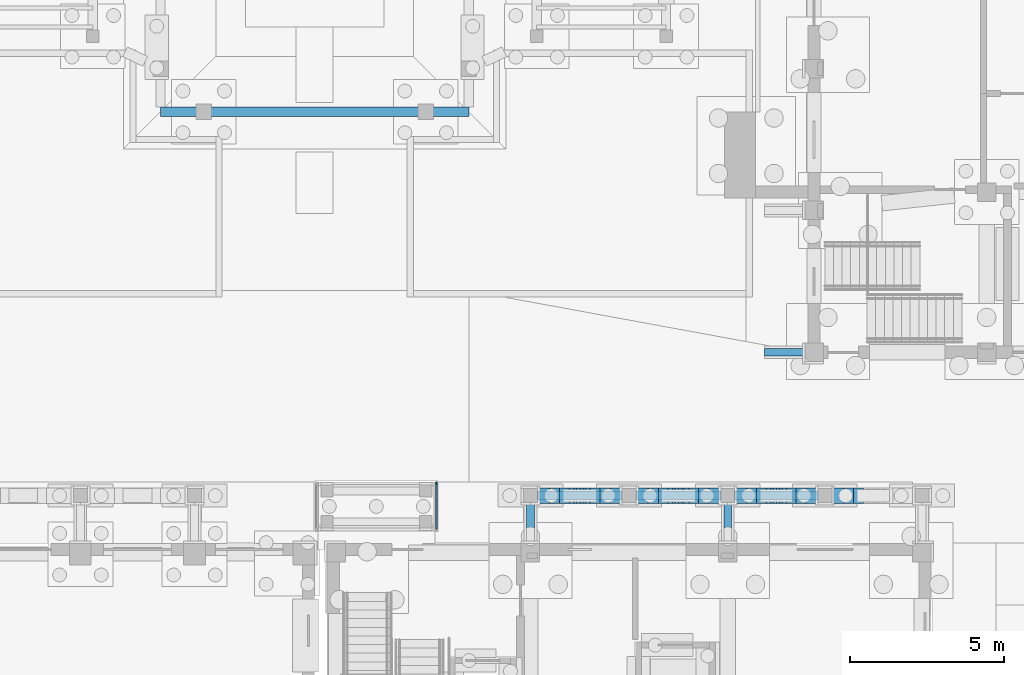
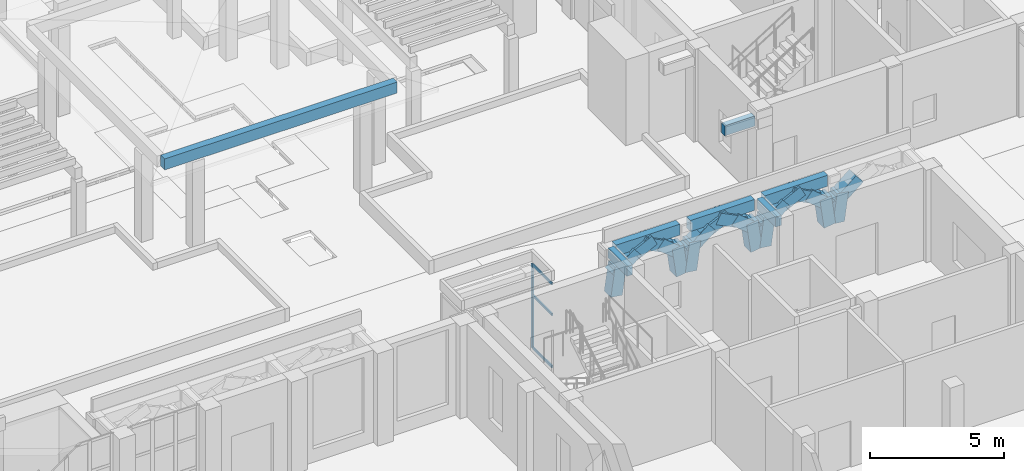
# One storey, part 29 of 112: 24 members, 7 beams, 1 element without a shape of its own.
"""IFC4 building model written with IfcOpenShell, lengths in metres."""

from ifc_helpers import new_model, si_unit, direction, frame, origin, origin_2d, place, context, subcontext, project, spatial, rectangle, extrude, material, layer, layer_set, material_profile, profile_set, type_object, element, aggregate, save


model = new_model("IFC4")

# Units and contexts
model_context = context("Model", 3, precision=1e-05, world=origin(), true_north=direction((0.0, 1.0)))
body_context = subcontext(model_context, "Body", "Model", "MODEL_VIEW")
ifc_project = project(units=[si_unit("LENGTHUNIT", "METRE"), si_unit("AREAUNIT", "SQUARE_METRE"), si_unit("VOLUMEUNIT", "CUBIC_METRE"), si_unit("PLANEANGLEUNIT", "RADIAN"), si_unit("MASSUNIT", "GRAM", prefix="KILO")], contexts=[model_context])

# Site, building, storey
site_placement = place(None, origin())
site = spatial("IfcSite", under=ifc_project, at=site_placement, CompositionType="ELEMENT")
building_placement = place(site_placement, origin())
building = spatial("IfcBuilding", under=site, at=building_placement, Name="Wasatch Bagh Community Centre", CompositionType="ELEMENT")
storey_placement = place(building_placement, origin())
storey = spatial("IfcBuildingStorey", under=building, at=storey_placement, Name="L00", CompositionType="ELEMENT", Elevation=0.0)

# Beams
ifc_material_1 = material(Name="Concrete C35", Category="concrete")
ifc_material_profile_1 = material_profile(ifc_material_1, rectangle(XDim=0.300048828125, YDim=0.5, at=origin_2d()), Name="RC 300x500")
ifc_profile_set_1 = profile_set([ifc_material_profile_1], Name="Concrete C35")
beam_type_1 = type_object("IfcBeamType", Name="CL-B1", PredefinedType="BEAM", material=ifc_profile_set_1)
for number, where, z_axis, x_axis, name in (
    (1, (103.22509765625, 33.550048828125, 3.60009765625), (1.0, 0.0, 0.0), (0.0, 1.0, 0.0), "CL-B1 arcade edge beam KW 1"),
    (2, (106.425048828125, 33.550048828125, 3.60009765625), (1.0, 0.0, 0.0), (0.0, 1.0, 0.0), "CL-B1 arcade edge beam KW 2"),
):
    element("IfcBeam", number, at=place(storey_placement, frame(where, z_axis=z_axis, x_axis=x_axis)), inside=storey, type_object=beam_type_1, Name=name, PredefinedType="BEAM", context=body_context, shape_type="SweptSolid", body=[
        extrude(rectangle(XDim=0.300048828125, YDim=0.5, at=origin_2d()), origin(), (0.0, 0.0, 1.0), 2.75),
    ])
beam_1_placement = place(storey_placement, frame((109.625, 33.550048828125, 3.60009765625), z_axis=(1.0, 0.0, 0.0), x_axis=(0.0, 1.0, 0.0)))
element("IfcBeam", 3, at=beam_1_placement, inside=storey, type_object=beam_type_1, Name="CL-B1 arcade edge beam KW 3", PredefinedType="BEAM", context=body_context, shape_type="SweptSolid", body=[
    extrude(rectangle(XDim=0.300048828125, YDim=0.5, at=origin_2d()), origin(), (0.0, 0.0, 1.0), 2.699951171875),
])
ifc_material_profile_2 = material_profile(ifc_material_1, rectangle(XDim=0.25, YDim=0.449951171875, at=origin_2d()), Name="RC 250x450")
ifc_profile_set_2 = profile_set([ifc_material_profile_2], Name="Concrete C35")
beam_type_2 = type_object("IfcBeamType", Name="CL-B2", PredefinedType="BEAM", material=ifc_profile_set_2)
for number, where, z_axis, x_axis, name in (
    (4, (103.0, 32.0, 3.625), (0.0, 1.0, 0.0), (-1.0, 0.0, 0.0), "CL-B2 arcade cross beam KW 1"),
    (5, (109.39990234375, 32.0, 3.625), (0.0, 1.0, 0.0), (-1.0, 0.0, 0.0), "CL-B2 arcade cross beam KW 2"),
):
    element("IfcBeam", number, at=place(storey_placement, frame(where, z_axis=z_axis, x_axis=x_axis)), inside=storey, type_object=beam_type_2, Name=name, PredefinedType="BEAM", context=body_context, shape_type="SweptSolid", body=[
        extrude(rectangle(XDim=0.25, YDim=0.449951171875, at=origin_2d()), origin(), (0.0, 0.0, 1.0), 1.39990234375),
    ])
beam_2_placement = place(storey_placement, frame((111.89990234375, 38.199951171875, 3.625), z_axis=(-1.0, 0.0, 0.0), x_axis=(0.0, -1.0, 0.0)))
element("IfcBeam", 6, at=beam_2_placement, inside=storey, type_object=beam_type_2, Name="CL-B2 arcade cross beam SH 1", PredefinedType="BEAM", context=body_context, shape_type="SweptSolid", body=[
    extrude(rectangle(XDim=0.25, YDim=0.449951171875, at=origin_2d()), origin(), (0.0, 0.0, 1.0), 1.2998046875),
])

# Members
ifc_material_2 = material(Name="Concrete C40", Category="concrete")
ifc_material_profile_3 = material_profile(ifc_material_2, rectangle(XDim=0.5, YDim=0.5, at=origin_2d()), Name="RC 500x500")
ifc_profile_set_3 = profile_set([ifc_material_profile_3], Name="Concrete C40")
member_type_1 = type_object("IfcMemberType", Name="CL-R1", PredefinedType="MEMBER", material=ifc_profile_set_3)
member_1_placement = place(storey_placement, frame((103.191162109375, 33.550048828125, 1.602294921875), z_axis=(0.135634109802, 0.0, 0.990758996052), x_axis=(0.0, 1.0, 0.0)))
element("IfcMember", 7, at=member_1_placement, inside=storey, type_object=member_type_1, Name="CL-R1 arch rib KW 1.1", PredefinedType="MEMBER", context=body_context, shape_type="SweptSolid", body=[
    extrude(rectangle(XDim=0.5, YDim=0.5, at=origin_2d()), origin(), (0.0, 0.0, 1.0), 1.317626953125),
])
member_2_placement = place(storey_placement, frame((103.141357421875, 33.550048828125, 2.5029296875), z_axis=(0.778078011658, 0.0, 0.628167658969), x_axis=(0.0, 1.0, 0.0)))
element("IfcMember", 8, at=member_2_placement, inside=storey, type_object=member_type_1, Name="CL-R1 arch rib KW 1.2", PredefinedType="MEMBER", context=body_context, shape_type="SweptSolid", body=[
    extrude(rectangle(XDim=0.5, YDim=0.5, at=origin_2d()), origin(), (0.0, 0.0, 1.0), 1.240966796875),
])
for number, where, z_axis, x_axis, name in (
    (9, (103.68896484375, 33.550048828125, 3.013427734375), (0.894003547963, 0.0, 0.448059880182), (0.0, 1.0, 0.0), "CL-R1 arch rib KW 1.3"),
    (10, (104.37646484375, 33.550048828125, 3.58203125), (0.894003547963, 0.0, -0.448059880182), (0.0, 1.0, 0.0), "CL-R1 arch rib KW 1.4"),
):
    element("IfcMember", number, at=place(storey_placement, frame(where, z_axis=z_axis, x_axis=x_axis)), inside=storey, type_object=member_type_1, Name=name, PredefinedType="MEMBER", context=body_context, shape_type="SweptSolid", body=[
        extrude(rectangle(XDim=0.5, YDim=0.5, at=origin_2d()), origin(), (0.0, 0.0, 1.0), 1.26904296875),
    ])
member_3_placement = place(storey_placement, frame((105.093017578125, 33.550048828125, 3.282470703125), z_axis=(0.778078011658, 0.0, -0.628167658969), x_axis=(0.0, 1.0, 0.0)))
element("IfcMember", 11, at=member_3_placement, inside=storey, type_object=member_type_1, Name="CL-R1 arch rib KW 1.5", PredefinedType="MEMBER", context=body_context, shape_type="SweptSolid", body=[
    extrude(rectangle(XDim=0.5, YDim=0.5, at=origin_2d()), origin(), (0.0, 0.0, 1.0), 1.240966796875),
])
for number, where, z_axis, x_axis, name in (
    (12, (105.830078125, 33.550048828125, 2.90771484375), (0.135815986688, 0.0, -0.990734080246), (0.0, 1.0, 0.0), "CL-R1 arch rib KW 1.6"),
    (13, (106.39111328125, 33.550048828125, 1.602294921875), (0.135634109802, 0.0, 0.990758996052), (0.0, 1.0, 0.0), "CL-R1 arch rib KW 2.1"),
):
    element("IfcMember", number, at=place(storey_placement, frame(where, z_axis=z_axis, x_axis=x_axis)), inside=storey, type_object=member_type_1, Name=name, PredefinedType="MEMBER", context=body_context, shape_type="SweptSolid", body=[
        extrude(rectangle(XDim=0.5, YDim=0.5, at=origin_2d()), origin(), (0.0, 0.0, 1.0), 1.317626953125),
    ])
member_4_placement = place(storey_placement, frame((106.341552734375, 33.550048828125, 2.5029296875), z_axis=(0.778078011658, 0.0, 0.628167658969), x_axis=(0.0, 1.0, 0.0)))
element("IfcMember", 14, at=member_4_placement, inside=storey, type_object=member_type_1, Name="CL-R1 arch rib KW 2.2", PredefinedType="MEMBER", context=body_context, shape_type="SweptSolid", body=[
    extrude(rectangle(XDim=0.5, YDim=0.5, at=origin_2d()), origin(), (0.0, 0.0, 1.0), 1.240966796875),
])
for number, where, z_axis, x_axis, name in (
    (15, (106.888916015625, 33.550048828125, 3.013427734375), (0.894003547963, 0.0, 0.448059880182), (0.0, 1.0, 0.0), "CL-R1 arch rib KW 2.3"),
    (16, (107.576416015625, 33.550048828125, 3.58203125), (0.894003547963, 0.0, -0.448059880182), (0.0, 1.0, 0.0), "CL-R1 arch rib KW 2.4"),
):
    element("IfcMember", number, at=place(storey_placement, frame(where, z_axis=z_axis, x_axis=x_axis)), inside=storey, type_object=member_type_1, Name=name, PredefinedType="MEMBER", context=body_context, shape_type="SweptSolid", body=[
        extrude(rectangle(XDim=0.5, YDim=0.5, at=origin_2d()), origin(), (0.0, 0.0, 1.0), 1.26904296875),
    ])
member_5_placement = place(storey_placement, frame((108.29296875, 33.550048828125, 3.282470703125), z_axis=(0.778078011658, 0.0, -0.628167658969), x_axis=(0.0, 1.0, 0.0)))
element("IfcMember", 17, at=member_5_placement, inside=storey, type_object=member_type_1, Name="CL-R1 arch rib KW 2.5", PredefinedType="MEMBER", context=body_context, shape_type="SweptSolid", body=[
    extrude(rectangle(XDim=0.5, YDim=0.5, at=origin_2d()), origin(), (0.0, 0.0, 1.0), 1.240966796875),
])
member_6_placement = place(storey_placement, frame((109.030029296875, 33.550048828125, 2.90771484375), z_axis=(0.135815986688, 0.0, -0.990734080246), x_axis=(0.0, 1.0, 0.0)))
element("IfcMember", 18, at=member_6_placement, inside=storey, type_object=member_type_1, Name="CL-R1 arch rib KW 2.6", PredefinedType="MEMBER", context=body_context, shape_type="SweptSolid", body=[
    extrude(rectangle(XDim=0.5, YDim=0.5, at=origin_2d()), origin(), (0.0, 0.0, 1.0), 1.317626953125),
])
member_7_placement = place(storey_placement, frame((109.591552734375, 33.550048828125, 1.602294921875), z_axis=(0.133450522403, 0.0, 0.991055476787), x_axis=(0.0, 1.0, 0.0)))
element("IfcMember", 19, at=member_7_placement, inside=storey, type_object=member_type_1, Name="CL-R1 arch rib KW 3.1", PredefinedType="MEMBER", context=body_context, shape_type="SweptSolid", body=[
    extrude(rectangle(XDim=0.5, YDim=0.5, at=origin_2d()), origin(), (0.0, 0.0, 1.0), 1.317138671875),
])
member_8_placement = place(storey_placement, frame((109.540771484375, 33.550048828125, 2.501220703125), z_axis=(0.772472975771, 0.0, 0.635047637349), x_axis=(0.0, 1.0, 0.0)))
element("IfcMember", 20, at=member_8_placement, inside=storey, type_object=member_type_1, Name="CL-R1 arch rib KW 3.2", PredefinedType="MEMBER", context=body_context, shape_type="SweptSolid", body=[
    extrude(rectangle(XDim=0.5, YDim=0.5, at=origin_2d()), origin(), (0.0, 0.0, 1.0), 1.23291015625),
])
member_9_placement = place(storey_placement, frame((110.077392578125, 33.550048828125, 3.01171875), z_axis=(0.890630351015, 0.0, 0.454728026243), x_axis=(0.0, 1.0, 0.0)))
element("IfcMember", 21, at=member_9_placement, inside=storey, type_object=member_type_1, Name="CL-R1 arch rib KW 3.3", PredefinedType="MEMBER", context=body_context, shape_type="SweptSolid", body=[
    extrude(rectangle(XDim=0.5, YDim=0.5, at=origin_2d()), origin(), (0.0, 0.0, 1.0), 1.258056640625),
])
member_10_placement = place(storey_placement, frame((110.75244140625, 33.550048828125, 3.583740234375), z_axis=(0.89059020934, 0.0, -0.454806639164), x_axis=(0.0, 1.0, 0.0)))
element("IfcMember", 22, at=member_10_placement, inside=storey, type_object=member_type_1, Name="CL-R1 arch rib KW 3.4", PredefinedType="MEMBER", context=body_context, shape_type="SweptSolid", body=[
    extrude(rectangle(XDim=0.5, YDim=0.5, at=origin_2d()), origin(), (0.0, 0.0, 1.0), 1.2578125),
])
member_11_placement = place(storey_placement, frame((111.456787109375, 33.550048828125, 3.2841796875), z_axis=(0.772472975771, 0.0, -0.635047637349), x_axis=(0.0, 1.0, 0.0)))
element("IfcMember", 23, at=member_11_placement, inside=storey, type_object=member_type_1, Name="CL-R1 arch rib KW 3.5", PredefinedType="MEMBER", context=body_context, shape_type="SweptSolid", body=[
    extrude(rectangle(XDim=0.5, YDim=0.5, at=origin_2d()), origin(), (0.0, 0.0, 1.0), 1.23291015625),
])
for number, where, z_axis, x_axis, name in (
    (24, (112.1826171875, 33.550048828125, 2.90771484375), (0.133450522403, 0.0, -0.991055476787), (0.0, 1.0, 0.0), "CL-R1 arch rib KW 3.6"),
    (25, (112.74169921875, 33.550048828125, 1.602294921875), (0.133268468573, 0.0, 0.991079974212), (0.0, 1.0, 0.0), "CL-R1 arch rib KW 4.1"),
):
    element("IfcMember", number, at=place(storey_placement, frame(where, z_axis=z_axis, x_axis=x_axis)), inside=storey, type_object=member_type_1, Name=name, PredefinedType="MEMBER", context=body_context, shape_type="SweptSolid", body=[
        extrude(rectangle(XDim=0.5, YDim=0.5, at=origin_2d()), origin(), (0.0, 0.0, 1.0), 1.317138671875),
    ])
member_12_placement = place(storey_placement, frame((112.69091796875, 33.550048828125, 2.501220703125), z_axis=(0.772393099165, 0.0, 0.635144786929), x_axis=(0.0, 1.0, 0.0)))
element("IfcMember", 26, at=member_12_placement, inside=storey, type_object=member_type_1, Name="CL-R1 arch rib KW 4.2", PredefinedType="MEMBER", context=body_context, shape_type="SweptSolid", body=[
    extrude(rectangle(XDim=0.5, YDim=0.5, at=origin_2d()), origin(), (0.0, 0.0, 1.0), 1.232666015625),
])

# Curtain wall, members
ifc_material_3 = material(Name="Aluminium curtain wall frame with low-iron insulated glass", Category="aluminium")
ifc_layer = layer(ifc_material_3, 0.10009765625)
ifc_layer_set = layer_set([ifc_layer], Name="Aluminium curtain wall frame with low-iron insulated glass")
curtain_wall_type = type_object("IfcCurtainWallType", Name="PA curtain wall PA-CW3", PredefinedType="NOTDEFINED", material=ifc_layer_set)
curtain_wall_placement = place(storey_placement, origin())
curtain_wall = element("IfcCurtainWall", 27, at=curtain_wall_placement, inside=storey, type_object=curtain_wall_type, Name="Curtain wall PA-CW3 PA4.2", PredefinedType="NOTDEFINED")
ifc_material_4 = material(Name="Anodised aluminium", Category="aluminium")
ifc_material_profile_4 = material_profile(ifc_material_4, rectangle(XDim=0.06005859375, YDim=0.10009765625, at=origin_2d()), Name="PA mullion PA-CW3")
ifc_profile_set_4 = profile_set([ifc_material_profile_4], Name="Anodised aluminium")
member_type_2 = type_object("IfcMemberType", Name="PA mullion PA-CW3", PredefinedType="MULLION", material=ifc_profile_set_4)
member_13_placement = place(storey_placement, frame((99.950927734375, 33.949951171875, 0.0), z_axis=(0.0, 0.0, 1.0), x_axis=(-1.0, 0.0, 0.0)))
member_13 = element("IfcMember", 28, at=member_13_placement, type_object=member_type_2, Name="PA-CW3 mullion 2", PredefinedType="MULLION", context=body_context, shape_type="SweptSolid", body=[
    extrude(rectangle(XDim=0.06005859375, YDim=0.10009765625, at=origin_2d()), origin(), (0.0, 0.0, 1.0), 3.830078125),
])
ifc_material_profile_5 = material_profile(ifc_material_4, rectangle(XDim=0.06005859375, YDim=0.10009765625, at=origin_2d()), Name="PA transom PA-CW3")
ifc_profile_set_5 = profile_set([ifc_material_profile_5], Name="Anodised aluminium")
member_type_3 = type_object("IfcMemberType", Name="PA transom PA-CW3", PredefinedType="USERDEFINED", material=ifc_profile_set_5)
member_14_placement = place(storey_placement, frame((99.950927734375, 32.47998046875, 0.030029296875), z_axis=(0.0, 1.0, 0.0), x_axis=(-1.0, 0.0, 0.0)))
member_14 = element("IfcMember", 29, at=member_14_placement, type_object=member_type_3, Name="PA-CW3 transom 1.1", ObjectType="TRANSOM", PredefinedType="USERDEFINED", context=body_context, shape_type="SweptSolid", body=[
    extrude(rectangle(XDim=0.06005859375, YDim=0.10009765625, at=origin_2d()), origin(), (0.0, 0.0, 1.0), 1.43994140625),
])
member_15_placement = place(storey_placement, frame((99.950927734375, 32.47998046875, 2.39990234375), z_axis=(0.0, 1.0, 0.0), x_axis=(-1.0, 0.0, 0.0)))
member_15 = element("IfcMember", 30, at=member_15_placement, type_object=member_type_3, Name="PA-CW3 transom 1.2", ObjectType="TRANSOM", PredefinedType="USERDEFINED", context=body_context, shape_type="SweptSolid", body=[
    extrude(rectangle(XDim=0.06005859375, YDim=0.10009765625, at=origin_2d()), origin(), (0.0, 0.0, 1.0), 1.43994140625),
])
member_16_placement = place(storey_placement, frame((99.950927734375, 32.47998046875, 3.800048828125), z_axis=(0.0, 1.0, 0.0), x_axis=(-1.0, 0.0, 0.0)))
member_16 = element("IfcMember", 31, at=member_16_placement, type_object=member_type_3, Name="PA-CW3 transom 1.3", ObjectType="TRANSOM", PredefinedType="USERDEFINED", context=body_context, shape_type="SweptSolid", body=[
    extrude(rectangle(XDim=0.06005859375, YDim=0.10009765625, at=origin_2d()), origin(), (0.0, 0.0, 1.0), 1.43994140625),
])
aggregate(curtain_wall, [member_13, member_14, member_15, member_16])

# Beam
ifc_material_profile_6 = material_profile(ifc_material_1, rectangle(XDim=0.300048828125, YDim=0.5, at=origin_2d()), Name="RC 300x500")
ifc_profile_set_6 = profile_set([ifc_material_profile_6], Name="Concrete C35")
beam_type_3 = type_object("IfcBeamType", Name="SITE-B1", PredefinedType="BEAM", material=ifc_profile_set_6)
beam_3_placement = place(storey_placement, frame((91.0, 46.0, 4.25), z_axis=(1.0, 0.0, 0.0), x_axis=(0.0, 1.0, 0.0)))
element("IfcBeam", 32, at=beam_3_placement, inside=storey, type_object=beam_type_3, Name="Baradari ring beam", PredefinedType="BEAM", context=body_context, shape_type="SweptSolid", body=[
    extrude(rectangle(XDim=0.300048828125, YDim=0.5, at=origin_2d()), origin(), (0.0, 0.0, 1.0), 10.0),
])

save(model, "model.ifc")
